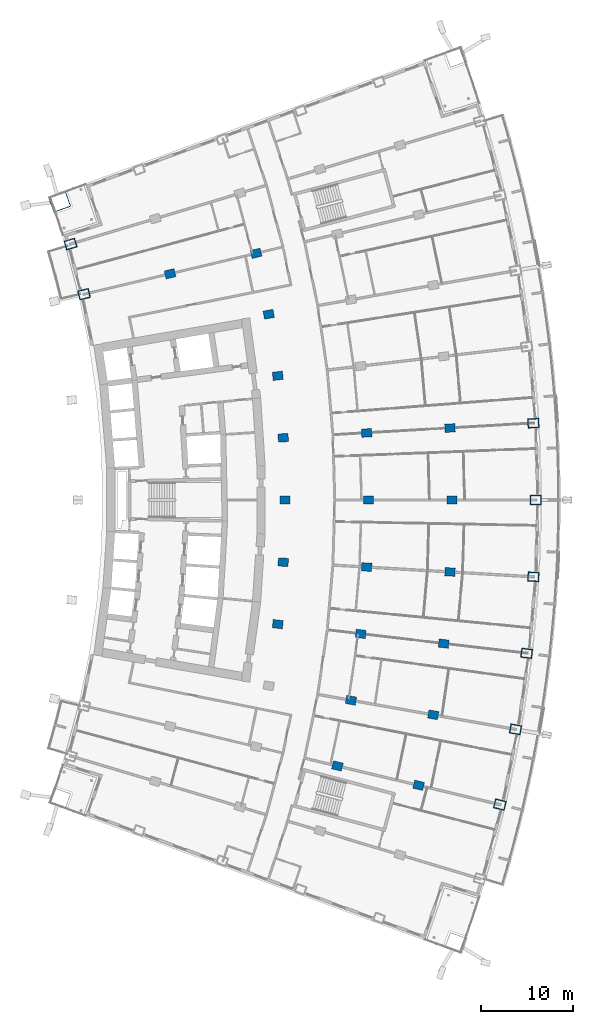
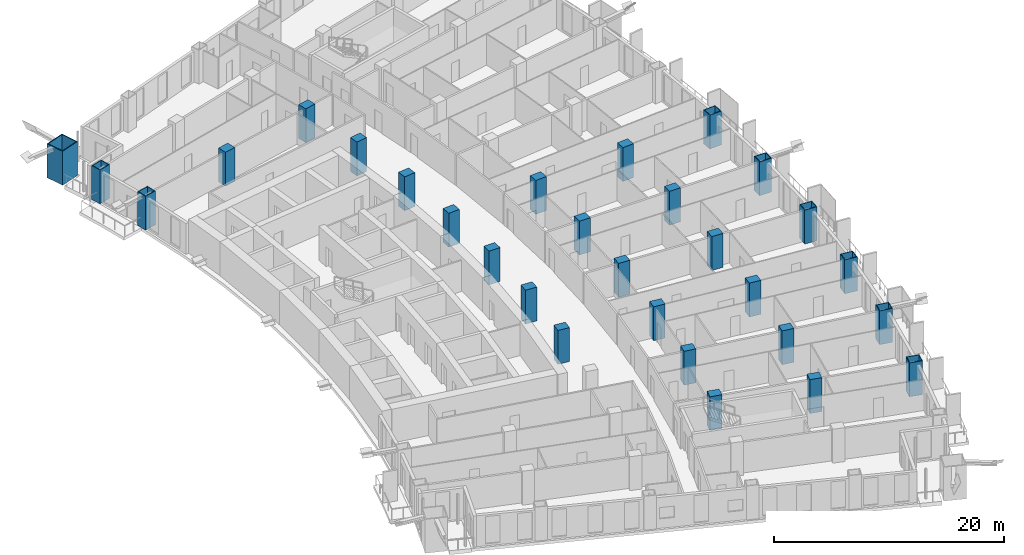
# One storey, part 5 of 22: 29 columns.
"""IFC4 building model written with IfcOpenShell, lengths in metres."""

from ifc_helpers import new_model, si_unit, direction, frame, origin, origin_2d, place, context, subcontext, project, spatial, rectangle, hollow_rectangle, extrude, material, material_profile, profile_set, type_object, element, save


model = new_model("IFC4")

# Units and contexts
model_context = context("Model", 3, precision=1e-05, world=origin(), true_north=direction((0.0, 1.0)))
body_context = subcontext(model_context, "Body", "Model", "MODEL_VIEW")
ifc_project = project(units=[si_unit("LENGTHUNIT", "METRE"), si_unit("AREAUNIT", "SQUARE_METRE"), si_unit("VOLUMEUNIT", "CUBIC_METRE"), si_unit("PLANEANGLEUNIT", "RADIAN"), si_unit("MASSUNIT", "GRAM", prefix="KILO")], contexts=[model_context])

# Site, building, storey
site_placement = place(None, origin())
site = spatial("IfcSite", under=ifc_project, at=site_placement, CompositionType="ELEMENT")
building_placement = place(site_placement, origin())
building = spatial("IfcBuilding", under=site, at=building_placement, Name="Alderwake Tower", CompositionType="ELEMENT")
storey_placement = place(building_placement, frame((0.0, 0.0, 50.0)))
storey = spatial("IfcBuildingStorey", under=building, at=storey_placement, Name="L11", CompositionType="ELEMENT", Elevation=50.0)

# Columns
ifc_material_1 = material(Name="Concrete C70/85", Category="concrete")
ifc_material_profile_1 = material_profile(ifc_material_1, rectangle(XDim=0.89990234375, YDim=1.10009765625, at=origin_2d()), Name="RC 1100X900")
ifc_profile_set_1 = profile_set([ifc_material_profile_1], Name="Concrete C70/85")
column_type_1 = type_object("IfcColumnType", Name="Interior column Z1", PredefinedType="COLUMN", material=ifc_profile_set_1)
for number, where, z_axis, x_axis, name in (
    (1, (41.48291015625, 32.128173828125, 0.0), (0.0, 0.0, 1.0), (0.231221547198, 0.972901123502, 0.0), "Column R03-C3"),
    (2, (50.3037109375, 30.03173828125, 0.0), (0.0, 0.0, 1.0), (0.231221547198, 0.972901123502, 0.0), "Column R03-C4"),
    (3, (42.959716796875, 39.259765625, 0.0), (0.0, 0.0, 1.0), (0.174108800747, 0.984726421654, 0.0), "Column R04-C3"),
    (4, (51.8876953125, 37.68115234375, 0.0), (0.0, 0.0, 1.0), (0.174108800747, 0.984726421654, 0.0), "Column R04-C4"),
    (5, (35.0126953125, 47.5205078125, 0.0), (0.0, 0.0, 1.0), (0.116402054316, 0.993202175668, 0.0), "Column R05-C2"),
    (6, (44.017822265625, 46.465087890625, 0.0), (0.0, 0.0, 1.0), (0.116402054316, 0.993202175668, 0.0), "Column R05-C3"),
    (7, (53.022705078125, 45.409912109375, 0.0), (0.0, 0.0, 1.0), (0.116402054316, 0.993202175668, 0.0), "Column R05-C4"),
    (8, (35.60302734375, 54.248779296875, 0.0), (0.0, 0.0, 1.0), (0.058301061284, 0.998299046505, 0.0), "Column R06-C2"),
    (9, (44.654296875, 53.72021484375, 0.0), (0.0, 0.0, 1.0), (0.058301061284, 0.998299046505, 0.0), "Column R06-C3"),
    (10, (53.70556640625, 53.191650390625, 0.0), (0.0, 0.0, 1.0), (0.058299318924, 0.998299148258, 0.0), "Column R06-C4"),
    (11, (35.800048828125, 61.0, 0.0), (0.0, 0.0, 1.0), (0.0, 1.0, 0.0), "Column R07-C2"),
    (12, (44.86669921875, 61.0, 0.0), (0.0, 0.0, 1.0), (0.0, 1.0, 0.0), "Column R07-C3"),
    (13, (53.933349609375, 61.0, 0.0), (0.0, 0.0, 1.0), (0.0, 1.0, 0.0), "Column R07-C4"),
    (14, (35.60302734375, 67.751220703125, 0.0), (0.0, 0.0, 1.0), (-0.058301061284, 0.998299046505, 0.0), "Column R08-C2"),
    (15, (44.654296875, 68.27978515625, 0.0), (0.0, 0.0, 1.0), (-0.058301061284, 0.998299046505, 0.0), "Column R08-C3"),
    (16, (53.70556640625, 68.808349609375, 0.0), (0.0, 0.0, 1.0), (-0.058299318924, 0.998299148258, 0.0), "Column R08-C4"),
    (17, (35.0126953125, 74.4794921875, 0.0), (0.0, 0.0, 1.0), (-0.116402054316, 0.993202175668, 0.0), "Column R09-C2"),
    (18, (34.03125, 81.16162109375, 0.0), (0.0, 0.0, 1.0), (-0.174108800747, 0.984726421654, 0.0), "Column R10-C2"),
    (19, (23.322021484375, 85.555908203125, 0.0), (0.0, 0.0, 1.0), (-0.231221547198, 0.972901123502, 0.0), "Column R11-C1"),
    (20, (32.661865234375, 87.775390625, 0.0), (0.0, 0.0, 1.0), (-0.231221547198, 0.972901123502, 0.0), "Column R11-C2"),
):
    element("IfcColumn", number, at=place(storey_placement, frame(where, z_axis=z_axis, x_axis=x_axis)), inside=storey, type_object=column_type_1, Name=name, PredefinedType="COLUMN", context=body_context, shape_type="SweptSolid", body=[
        extrude(rectangle(XDim=0.89990234375, YDim=1.10009765625, at=origin_2d()), origin(), (0.0, 0.0, 1.0), 3.60009765625),
    ])
ifc_material_2 = material(Name="Steel ASTM A572 Grade 50 concrete filled C70/85", Category="concrete")
ifc_material_profile_2 = material_profile(ifc_material_2, hollow_rectangle(XDim=1.800048828125, YDim=2.0, WallThickness=0.090087890625, at=origin_2d()), Name="BOX 2000X1800X90")
ifc_profile_set_2 = profile_set([ifc_material_profile_2], Name="Steel ASTM A572 Grade 50 concrete filled C70/85")
column_type_2 = type_object("IfcColumnType", Name="Mega column Z1", PredefinedType="COLUMN", material=ifc_profile_set_2)
column_placement = place(storey_placement, frame((11.330810546875, 93.377197265625, 0.0), z_axis=(0.0, 0.0, 1.0), x_axis=(-0.334130947791, 0.942526662609, 0.0)))
element("IfcColumn", 21, at=column_placement, inside=storey, type_object=column_type_2, Name="Column R13-C0", PredefinedType="COLUMN", context=body_context, shape_type="SweptSolid", body=[
    extrude(hollow_rectangle(XDim=1.800048828125, YDim=2.0, WallThickness=0.090087890625, at=origin_2d()), origin(), (0.0, 0.0, 1.0), 3.60009765625),
])
ifc_material_3 = material(Name="Steel ASTM A572 Grade 50 concrete filled C70/85", Category="concrete")
ifc_material_profile_3 = material_profile(ifc_material_3, hollow_rectangle(XDim=1.0, YDim=1.199951171875, WallThickness=0.06005859375, at=origin_2d()), Name="BOX 1200X1000X60")
ifc_profile_set_3 = profile_set([ifc_material_profile_3], Name="Steel ASTM A572 Grade 50 concrete filled C70/85")
column_type_3 = type_object("IfcColumnType", Name="Perimeter column Z1", PredefinedType="COLUMN", material=ifc_profile_set_3)
for number, where, z_axis, x_axis, name in (
    (22, (59.125, 27.935302734375, 0.0), (0.0, 0.0, 1.0), (0.231221547198, 0.972901123502, 0.0), "Column R03-C5"),
    (23, (60.81591796875, 36.1025390625, 0.0), (0.0, 0.0, 1.0), (0.174108800747, 0.984726421654, 0.0), "Column R04-C5"),
    (24, (62.02783203125, 44.3544921875, 0.0), (0.0, 0.0, 1.0), (0.116402054316, 0.993202175668, 0.0), "Column R05-C5"),
    (25, (62.7568359375, 52.6630859375, 0.0), (0.0, 0.0, 1.0), (0.058299318924, 0.998299148258, 0.0), "Column R06-C5"),
    (26, (63.0, 61.0, 0.0), (0.0, 0.0, 1.0), (0.0, 1.0, 0.0), "Column R07-C5"),
    (27, (62.7568359375, 69.3369140625, 0.0), (0.0, 0.0, 1.0), (-0.058299318924, 0.998299148258, 0.0), "Column R08-C5"),
    (28, (13.982177734375, 83.3359375, 0.0), (0.0, 0.0, 1.0), (-0.231221547198, 0.972901123502, 0.0), "Column R11-C0"),
    (29, (12.520263671875, 88.777099609375, 0.0), (0.0, 0.0, 1.0), (-0.287549418125, 0.957765802342, 0.0), "Column R12-C0"),
):
    element("IfcColumn", number, at=place(storey_placement, frame(where, z_axis=z_axis, x_axis=x_axis)), inside=storey, type_object=column_type_3, Name=name, PredefinedType="COLUMN", context=body_context, shape_type="SweptSolid", body=[
        extrude(hollow_rectangle(XDim=1.0, YDim=1.199951171875, WallThickness=0.06005859375, at=origin_2d()), origin(), (0.0, 0.0, 1.0), 3.60009765625),
    ])

save(model, "model.ifc")
